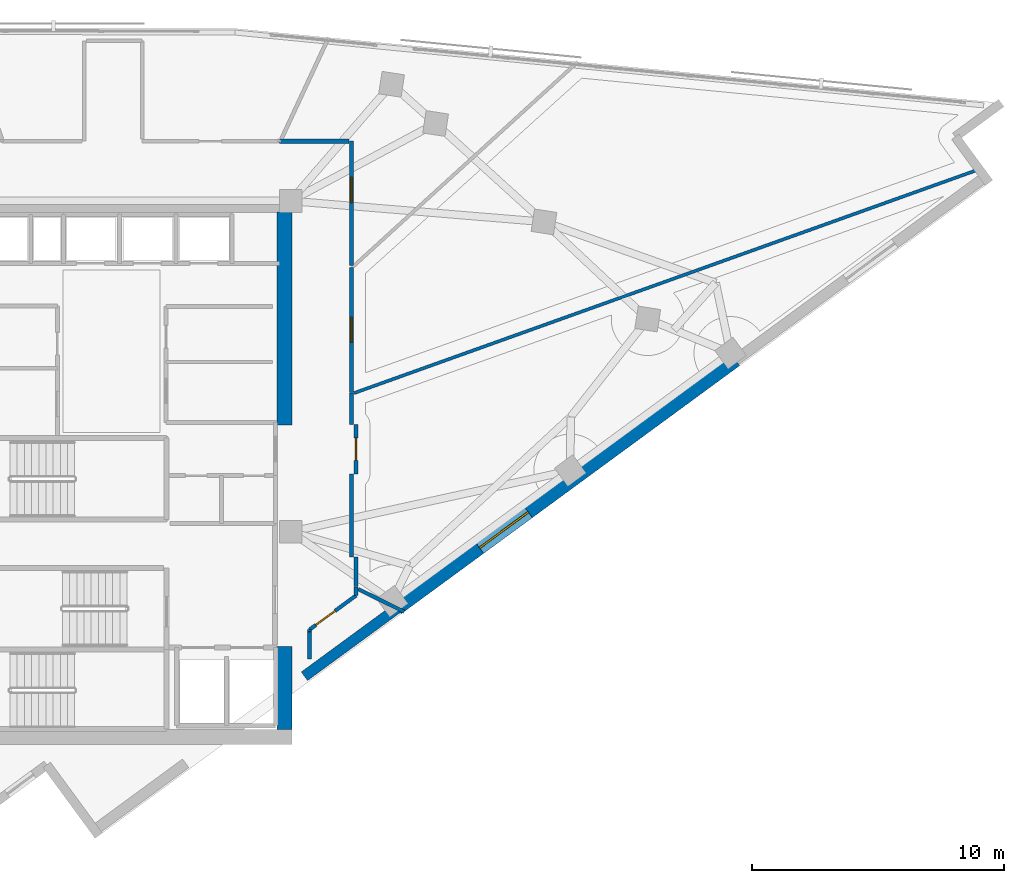
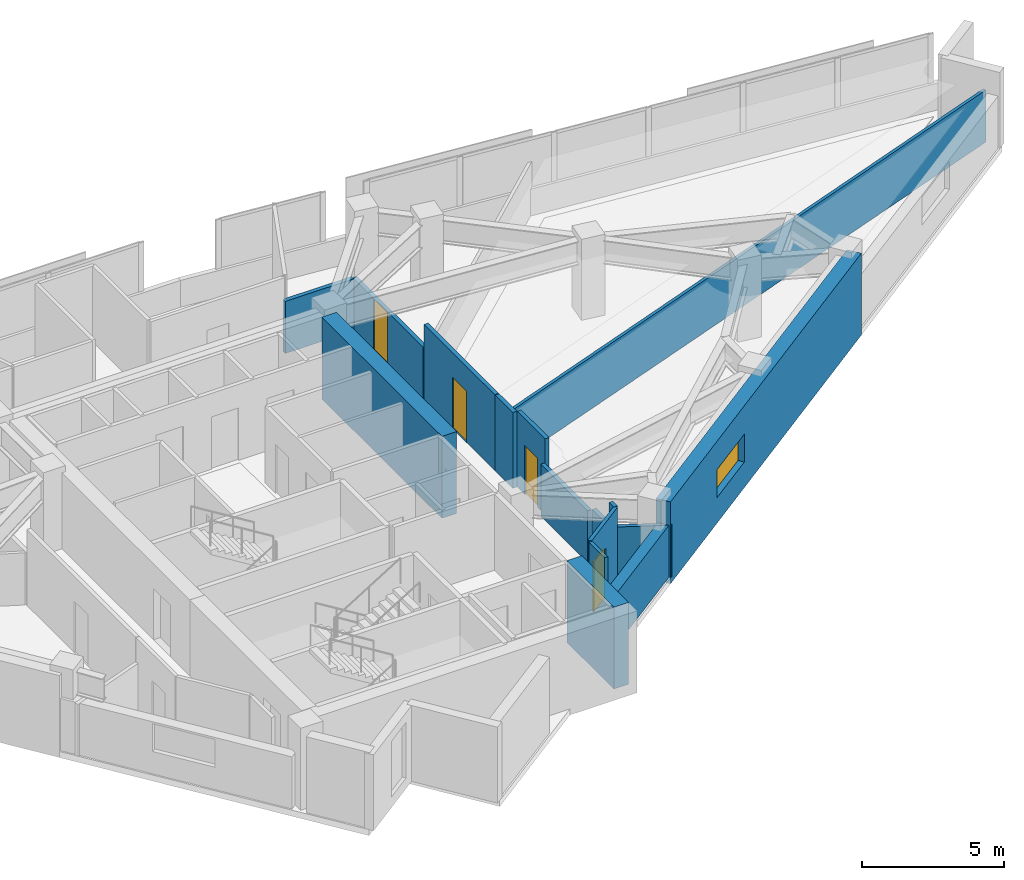
# One storey, part 11 of 14: 17 walls, 4 doors, 1 window, 5 openings.
"""IFC4 building model written with IfcOpenShell, lengths in metres."""

from ifc_helpers import new_model, si_unit, direction, frame, frame_2d, origin, place, context, subcontext, project, spatial, rectangle, extrude, material, layer, layer_set, type_object, element, fill, save


model = new_model("IFC4")

# Units and contexts
model_context = context("Model", 3, precision=1e-05, world=origin(), true_north=direction((0.0, 1.0)))
body_context = subcontext(model_context, "Body", "Model", "MODEL_VIEW")
ifc_project = project(units=[si_unit("LENGTHUNIT", "METRE"), si_unit("AREAUNIT", "SQUARE_METRE"), si_unit("VOLUMEUNIT", "CUBIC_METRE"), si_unit("PLANEANGLEUNIT", "RADIAN"), si_unit("MASSUNIT", "GRAM", prefix="KILO")], contexts=[model_context])

# Site, building, storey
site_placement = place(None, origin())
site = spatial("IfcSite", under=ifc_project, at=site_placement, CompositionType="ELEMENT")
building_placement = place(site_placement, origin())
building = spatial("IfcBuilding", under=site, at=building_placement, Name="Narakoshi Arena Tower", CompositionType="ELEMENT")
storey_placement = place(building_placement, frame((0.0, 0.0, 260.739990234375)))
storey = spatial("IfcBuildingStorey", under=building, at=storey_placement, Name="L71", CompositionType="ELEMENT", Elevation=260.739990234375)

# Walls
ifc_material_1 = material(Name="Concrete C50/60", Category="concrete")
ifc_layer_1 = layer(ifc_material_1, 0.60009765625)
ifc_layer_set_1 = layer_set([ifc_layer_1], Name="Concrete C50/60")
wall_type_1 = type_object("IfcWallType", Name="WL-CORE-600", PredefinedType="SHEAR", material=ifc_layer_set_1)
wall_1_placement = place(storey_placement, frame((85.300048828125, 35.5, -0.260009765625), z_axis=(0.0, 0.0, 1.0), x_axis=(0.0, 1.0, 0.0)))
element("IfcWall", 1, at=wall_1_placement, inside=storey, type_object=wall_type_1, Name="L71 Central Core Shear Wall CW-APX-E", PredefinedType="SHEAR", context=body_context, shape_type="SweptSolid", body=[
    extrude(rectangle(XDim=3.300048828125, YDim=0.60009765625, at=frame_2d((1.64990234375, 0.0))), origin(), (0.0, 0.0, 1.0), 3.52001953125),
])
wall_2_placement = place(storey_placement, frame((85.300048828125, 47.60009765625, -0.260009765625), z_axis=(0.0, 0.0, 1.0), x_axis=(0.0, 1.0, 0.0)))
element("IfcWall", 2, at=wall_2_placement, inside=storey, type_object=wall_type_1, Name="L71 Main Core Shear Wall CW-MN-E", PredefinedType="SHEAR", context=body_context, shape_type="SweptSolid", body=[
    extrude(rectangle(XDim=8.449951171875, YDim=0.60009765625, at=frame_2d((4.22509765625, 0.0))), origin(), (0.0, 0.0, 1.0), 3.52001953125),
])
ifc_material_2 = material(Name="Gypsum plasterboard fire-rated partition")
ifc_layer_2 = layer(ifc_material_2, 0.1650390625)
ifc_layer_set_2 = layer_set([ifc_layer_2], Name="Gypsum plasterboard fire-rated partition")
wall_type_2 = type_object("IfcWallType", Name="WL-CORR-165", PredefinedType="PARTITIONING", material=ifc_layer_set_2)
wall_3_placement = place(storey_placement, frame((87.97216796875, 42.35009765625, 0.0), z_axis=(0.0, 0.0, 1.0), x_axis=(0.0, 1.0, 0.0)))
element("IfcWall", 3, at=wall_3_placement, inside=storey, type_object=wall_type_2, Name="L71 Corridor Partition 03-1", PredefinedType="PARTITIONING", context=body_context, shape_type="SweptSolid", body=[
    extrude(rectangle(XDim=3.2998046875, YDim=0.1650390625, at=frame_2d((1.64990234375, 0.0))), origin(), (0.0, 0.0, 1.0), 2.237060546875),
])

# Wall, opening, door
wall_4_placement = place(storey_placement, frame((88.14990234375, 45.64990234375, 0.0), z_axis=(0.0, 0.0, 1.0), x_axis=(0.0, 1.0, 0.0)))
wall_4 = element("IfcWall", 4, at=wall_4_placement, inside=storey, type_object=wall_type_2, Name="L71 Corridor Partition 03-2", PredefinedType="PARTITIONING", context=body_context, shape_type="SweptSolid", body=[
    extrude(rectangle(XDim=1.97021484375, YDim=0.1650390625, at=frame_2d((0.985107421875, 0.0))), origin(), (0.0, 0.0, 1.0), 3.260009765625),
])
opening_1_placement = place(wall_4_placement, frame((0.534912109375, 0.0, 0.0)))
opening_1 = element("IfcOpeningElement", 5, at=opening_1_placement, cuts=wall_4, Name="Opening D-08", PredefinedType="OPENING", context=body_context, shape_type="SweptSolid", body=[
    extrude(rectangle(XDim=0.89990234375, YDim=2.10009765625, at=frame_2d((0.449951171875, 1.050048828125))), frame((0.0, 0.092529296875, 0.0), z_axis=(0.0, -1.0, 0.0), x_axis=(1.0, 0.0, 0.0)), (0.0, 0.0, 1.0), 0.18505859375),
])
ifc_material_3 = material(Name="Moisture-resistant laminate timber", Category="wood")
door_type_1 = type_object("IfcDoorType", Name="DR-WC-900", OperationType="NOTDEFINED", PredefinedType="DOOR", material=ifc_material_3)
door_1_placement = place(opening_1_placement, frame((0.89990234375, 0.0, 0.0), z_axis=(0.0, 0.0, 1.0), x_axis=(-1.0, 0.0, 0.0)))
door_1 = element("IfcDoor", 6, at=door_1_placement, inside=storey, type_object=door_type_1, Name="DR-L71-019", OperationType="SINGLE_SWING_LEFT", OverallHeight=2.10009765625, OverallWidth=0.89990234375, PredefinedType="DOOR", context=body_context, shape_type="SweptSolid", body=[
    extrude(rectangle(XDim=0.89990234375, YDim=2.10009765625, at=frame_2d((0.449951171875, 1.050048828125))), frame((0.0, 0.02490234375, 0.0), z_axis=(0.0, -1.0, 0.0), x_axis=(1.0, 0.0, 0.0)), (0.0, 0.0, 1.0), 0.050048828125),
])
fill(opening_1, door_1)

# Walls
wall_5_placement = place(storey_placement, frame((87.97216796875, 47.6201171875, 0.0), z_axis=(0.0, 0.0, 1.0), x_axis=(0.0, 1.0, 0.0)))
element("IfcWall", 7, at=wall_5_placement, inside=storey, type_object=wall_type_2, Name="L71 Corridor Partition 03-3", PredefinedType="PARTITIONING", context=body_context, shape_type="SweptSolid", body=[
    extrude(rectangle(XDim=1.2421875, YDim=0.1650390625, at=frame_2d((0.62109375, 0.0))), origin(), (0.0, 0.0, 1.0), 3.260009765625),
])
wall_6_placement = place(storey_placement, frame((88.14990234375, 41.18359375, 0.0), z_axis=(0.0, 0.0, 1.0), x_axis=(0.0, 1.0, 0.0)))
element("IfcWall", 8, at=wall_6_placement, inside=storey, type_object=wall_type_2, Name="L71 Corridor Partition 03-4", PredefinedType="PARTITIONING", context=body_context, shape_type="SweptSolid", body=[
    extrude(rectangle(XDim=1.16650390625, YDim=0.1650390625, at=frame_2d((0.583251953125, 0.0))), origin(), (0.0, 0.0, 1.0), 2.237060546875),
])

# Wall, opening, door
wall_7_placement = place(storey_placement, frame((87.97216796875, 48.8876953125, 0.0), z_axis=(0.0, 0.0, 1.0), x_axis=(0.0, 1.0, 0.0)))
wall_7 = element("IfcWall", 9, at=wall_7_placement, inside=storey, type_object=wall_type_2, Name="L71 Corridor Partition 04-1", PredefinedType="PARTITIONING", context=body_context, shape_type="SweptSolid", body=[
    extrude(rectangle(XDim=4.97607421875, YDim=0.1650390625, at=frame_2d((2.488037109375, 0.0))), origin(), (0.0, 0.0, 1.0), 3.260009765625),
])
opening_2_placement = place(wall_7_placement, frame((1.988037109375, 0.0, 0.0)))
opening_2 = element("IfcOpeningElement", 10, at=opening_2_placement, cuts=wall_7, Name="Opening D-06", PredefinedType="OPENING", context=body_context, shape_type="SweptSolid", body=[
    extrude(rectangle(XDim=1.0, YDim=2.199951171875, at=frame_2d((0.5, 1.10009765625))), frame((0.0, 0.092529296875, 0.0), z_axis=(0.0, -1.0, 0.0), x_axis=(1.0, 0.0, 0.0)), (0.0, 0.0, 1.0), 0.18505859375),
])
ifc_material_4 = material(Name="Stained oak solid-core timber", Category="wood")
door_type_2 = type_object("IfcDoorType", Name="DR-OFF-1000", OperationType="NOTDEFINED", PredefinedType="DOOR", material=ifc_material_4)
door_2_placement = place(opening_2_placement, frame((1.0, 0.0, 0.0), z_axis=(0.0, 0.0, 1.0), x_axis=(-1.0, 0.0, 0.0)))
door_2 = element("IfcDoor", 11, at=door_2_placement, inside=storey, type_object=door_type_2, Name="DR-L71-020", OperationType="SINGLE_SWING_RIGHT", OverallHeight=2.199951171875, OverallWidth=1.0, PredefinedType="DOOR", context=body_context, shape_type="SweptSolid", body=[
    extrude(rectangle(XDim=1.0, YDim=2.199951171875, at=frame_2d((0.5, 1.10009765625))), frame((0.0, 0.02490234375, 0.0), z_axis=(0.0, -1.0, 0.0), x_axis=(1.0, 0.0, 0.0)), (0.0, 0.0, 1.0), 0.050048828125),
])
fill(opening_2, door_2)

wall_8_placement = place(storey_placement, frame((87.97216796875, 53.93701171875, 0.0), z_axis=(0.0, 0.0, 1.0), x_axis=(0.0, 1.0, 0.0)))
wall_8 = element("IfcWall", 12, at=wall_8_placement, inside=storey, type_object=wall_type_2, Name="L71 Corridor Partition 05-1", PredefinedType="PARTITIONING", context=body_context, shape_type="SweptSolid", body=[
    extrude(rectangle(XDim=4.935302734375, YDim=0.1650390625, at=frame_2d((2.4677734375, 0.0))), origin(), (0.0, 0.0, 1.0), 2.237060546875),
])
opening_3_placement = place(wall_8_placement, frame((2.497802734375, 0.0, 0.0)))
opening_3 = element("IfcOpeningElement", 13, at=opening_3_placement, cuts=wall_8, Name="Opening D-06", PredefinedType="OPENING", context=body_context, shape_type="SweptSolid", body=[
    extrude(rectangle(XDim=1.0, YDim=2.199951171875, at=frame_2d((0.5, 1.10009765625))), frame((0.0, 0.092529296875, 0.0), z_axis=(0.0, -1.0, 0.0), x_axis=(1.0, 0.0, 0.0)), (0.0, 0.0, 1.0), 0.18505859375),
])
door_3_placement = place(opening_3_placement, frame((1.0, 0.0, 0.0), z_axis=(0.0, 0.0, 1.0), x_axis=(-1.0, 0.0, 0.0)))
door_3 = element("IfcDoor", 14, at=door_3_placement, inside=storey, type_object=door_type_2, Name="DR-L71-021", OperationType="SINGLE_SWING_LEFT", OverallHeight=2.199951171875, OverallWidth=1.0, PredefinedType="DOOR", context=body_context, shape_type="SweptSolid", body=[
    extrude(rectangle(XDim=1.0, YDim=2.199951171875, at=frame_2d((0.5, 1.10009765625))), frame((0.0, 0.02490234375, 0.0), z_axis=(0.0, -1.0, 0.0), x_axis=(1.0, 0.0, 0.0)), (0.0, 0.0, 1.0), 0.050048828125),
])
fill(opening_3, door_3)

# Wall
wall_9_placement = place(storey_placement, frame((87.877685546875, 58.872314453125, 0.0), z_axis=(0.0, 0.0, 1.0), x_axis=(-1.0, 0.0, 0.0)))
element("IfcWall", 15, at=wall_9_placement, inside=storey, type_object=wall_type_2, Name="L71 Corridor Partition 05-2", PredefinedType="PARTITIONING", context=body_context, shape_type="SweptSolid", body=[
    extrude(rectangle(XDim=2.7763671875, YDim=0.1650390625, at=frame_2d((1.38818359375, 0.0))), origin(), (0.0, 0.0, 1.0), 2.237060546875),
])

# Wall, opening, window
ifc_layer_3 = layer(ifc_material_1, 0.550048828125)
ifc_layer_set_3 = layer_set([ifc_layer_3], Name="Concrete C50/60")
wall_type_3 = type_object("IfcWallType", Name="WL-LEG-550", PredefinedType="SHEAR", material=ifc_layer_set_3)
wall_10_placement = place(storey_placement, frame((89.79052734375, 40.31640625, -0.260009765625), z_axis=(0.0, 0.0, 1.0), x_axis=(0.806449218078, 0.591303355868, 0.0)))
wall_10 = element("IfcWall", 16, at=wall_10_placement, inside=storey, type_object=wall_type_3, Name="L71 Architectural Concrete Structural Wall LEGA-3", PredefinedType="SHEAR", context=body_context, shape_type="SweptSolid", body=[
    extrude(rectangle(XDim=16.673095703125, YDim=0.550048828125, at=frame_2d((8.33642578125, 0.0))), origin(), (0.0, 0.0, 1.0), 3.52001953125),
])
opening_4_placement = place(wall_10_placement, frame((4.0537109375, 0.0, 1.10009765625)))
opening_4 = element("IfcOpeningElement", 17, at=opening_4_placement, cuts=wall_10, Name="Opening WN-04", PredefinedType="OPENING", context=body_context, shape_type="SweptSolid", body=[
    extrude(rectangle(XDim=2.39990234375, YDim=1.199951171875, at=frame_2d((1.199951171875, 0.60009765625))), frame((0.0, 0.284912109375, 0.0), z_axis=(0.0, -1.0, 0.0), x_axis=(1.0, 0.0, 0.0)), (0.0, 0.0, 1.0), 0.570068359375),
])
ifc_material_5 = material(Name="Bronze-tinted low-E laminated glass", Category="glass")
window_type = type_object("IfcWindowType", Name="WIN-SLT-24x12", PartitioningType="SINGLE_PANEL", PredefinedType="WINDOW", material=ifc_material_5)
window_placement = place(opening_4_placement, origin())
window = element("IfcWindow", 18, at=window_placement, inside=storey, type_object=window_type, Name="L71 LEGA3 Horizontal Slot Window 1", OverallHeight=1.199951171875, OverallWidth=2.39990234375, PartitioningType="SINGLE_PANEL", PredefinedType="WINDOW", context=body_context, shape_type="SweptSolid", body=[
    extrude(rectangle(XDim=2.39990234375, YDim=1.199951171875, at=frame_2d((1.199951171875, 0.60009765625))), frame((0.0, 0.030029296875, 0.0), z_axis=(0.0, -1.0, 0.0), x_axis=(1.0, 0.0, 0.0)), (0.0, 0.0, 1.0), 0.06005859375),
])
fill(opening_4, window)

# Walls
ifc_layer_4 = layer(ifc_material_2, 0.125)
ifc_layer_set_4 = layer_set([ifc_layer_4], Name="Gypsum plasterboard fire-rated partition")
wall_type_4 = type_object("IfcWallType", Name="WL-PART-125", PredefinedType="PARTITIONING", material=ifc_layer_set_4)
wall_11_placement = place(storey_placement, frame((88.066650390625, 48.86181640625, 0.0), z_axis=(0.0, 0.0, 1.0), x_axis=(0.941487752905, 0.337047194217, 0.0)))
element("IfcWall", 19, at=wall_11_placement, inside=storey, type_object=wall_type_4, Name="L71 Inter-Room Partition 03-04", PredefinedType="PARTITIONING", context=body_context, shape_type="SweptSolid", body=[
    extrude(rectangle(XDim=26.3896484375, YDim=0.125, at=frame_2d((13.19482421875, 0.0))), origin(), (0.0, 0.0, 1.0), 2.237060546875),
])
ifc_material_6 = material(Name="Precast concrete C45/55", Category="concrete")
ifc_layer_5 = layer(ifc_material_6, 0.419921875)
ifc_layer_set_5 = layer_set([ifc_layer_5], Name="Precast concrete C45/55")
wall_type_5 = type_object("IfcWallType", Name="WL-POD-420", PredefinedType="SOLIDWALL", material=ifc_layer_set_5)
wall_12_placement = place(storey_placement, frame((86.10009765625, 37.6103515625, 0.0), z_axis=(0.0, 0.0, 1.0), x_axis=(0.806432132361, 0.591326657521, 0.0)))
element("IfcWall", 20, at=wall_12_placement, inside=storey, type_object=wall_type_5, Name="L71 Architectural Concrete Facade Wall LEGA-2", PredefinedType="SOLIDWALL", context=body_context, shape_type="SweptSolid", body=[
    extrude(rectangle(XDim=4.576171875, YDim=0.419921875, at=frame_2d((2.2880859375, 0.0))), origin(), (0.0, 0.0, 1.0), 2.237060546875),
])

# Wall, opening, door
ifc_material_7 = material(Name="Moisture-resistant cement-board partition")
ifc_layer_6 = layer(ifc_material_7, 0.14501953125)
ifc_layer_set_6 = layer_set([ifc_layer_6], Name="Moisture-resistant cement-board partition")
wall_type_6 = type_object("IfcWallType", Name="WL-WET-145", PredefinedType="PARTITIONING", material=ifc_layer_set_6)
wall_13_placement = place(storey_placement, frame((86.300048828125, 39.4619140625, 0.0), z_axis=(0.0, 0.0, 1.0), x_axis=(0.80642868075, 0.591331364689, 0.0)))
wall_13 = element("IfcWall", 21, at=wall_13_placement, inside=storey, type_object=wall_type_6, Name="L71 Corridor Partition 02-1", PredefinedType="PARTITIONING", context=body_context, shape_type="SweptSolid", body=[
    extrude(rectangle(XDim=2.2939453125, YDim=0.14501953125, at=frame_2d((1.14697265625, 0.0))), origin(), (0.0, 0.0, 1.0), 3.260009765625),
])
opening_5_placement = place(wall_13_placement, frame((0.313232421875, 0.0, 0.0)))
opening_5 = element("IfcOpeningElement", 22, at=opening_5_placement, cuts=wall_13, Name="Opening D-07", PredefinedType="OPENING", context=body_context, shape_type="SweptSolid", body=[
    extrude(rectangle(XDim=0.949951171875, YDim=2.14990234375, at=frame_2d((0.47509765625, 1.074951171875))), frame((0.0, 0.08251953125, 0.0), z_axis=(0.0, -1.0, 0.0), x_axis=(1.0, 0.0, 0.0)), (0.0, 0.0, 1.0), 0.1650390625),
])
door_type_3 = type_object("IfcDoorType", Name="DR-ACC-950", OperationType="NOTDEFINED", PredefinedType="DOOR", material=ifc_material_4)
door_4_placement = place(opening_5_placement, frame((0.949951171875, 0.0, 0.0), z_axis=(0.0, 0.0, 1.0), x_axis=(-1.0, 0.0, 0.0)))
door_4 = element("IfcDoor", 23, at=door_4_placement, inside=storey, type_object=door_type_3, Name="DR-L71-018", OperationType="SINGLE_SWING_RIGHT", OverallHeight=2.14990234375, OverallWidth=0.949951171875, PredefinedType="DOOR", context=body_context, shape_type="SweptSolid", body=[
    extrude(rectangle(XDim=0.949951171875, YDim=2.14990234375, at=frame_2d((0.47509765625, 1.074951171875))), frame((0.0, 0.02490234375, 0.0), z_axis=(0.0, -1.0, 0.0), x_axis=(1.0, 0.0, 0.0)), (0.0, 0.0, 1.0), 0.050048828125),
])
fill(opening_5, door_4)

# Walls
wall_14_placement = place(storey_placement, frame((88.14990234375, 40.818359375, 0.0), z_axis=(0.0, 0.0, 1.0), x_axis=(0.0, 1.0, 0.0)))
element("IfcWall", 24, at=wall_14_placement, inside=storey, type_object=wall_type_6, Name="L71 Corridor Partition 02-2", PredefinedType="PARTITIONING", context=body_context, shape_type="SweptSolid", body=[
    extrude(rectangle(XDim=0.338623046875, YDim=0.14501953125, at=frame_2d((0.16943359375, 0.0))), origin(), (0.0, 0.0, 1.0), 3.260009765625),
])
wall_15_placement = place(storey_placement, frame((86.300048828125, 39.3876953125, 0.0), z_axis=(0.0, 0.0, 1.0), x_axis=(0.0, 1.0, 0.0)))
element("IfcWall", 25, at=wall_15_placement, inside=storey, type_object=wall_type_6, Name="L71 Corridor Partition 02-3", PredefinedType="PARTITIONING", context=body_context, shape_type="SweptSolid", body=[
    extrude(rectangle(XDim=0.07421875, YDim=0.14501953125, at=frame_2d((0.037109375, 0.0))), origin(), (0.0, 0.0, 1.0), 3.260009765625),
])
wall_16_placement = place(storey_placement, frame((88.234619140625, 41.0751953125, 0.0), z_axis=(0.0, 0.0, 1.0), x_axis=(0.895886148706, -0.44428370278, 0.0)))
element("IfcWall", 26, at=wall_16_placement, inside=storey, type_object=wall_type_6, Name="L71 Inter-Room Partition 02-03", PredefinedType="PARTITIONING", context=body_context, shape_type="SweptSolid", body=[
    extrude(rectangle(XDim=2.034912109375, YDim=0.14501953125, at=frame_2d((1.017578125, 0.0))), origin(), (0.0, 0.0, 1.0), 2.237060546875),
])
wall_17_placement = place(storey_placement, frame((86.300048828125, 38.290283203125, 0.0), z_axis=(0.0, 0.0, 1.0), x_axis=(0.0, 1.0, 0.0)))
element("IfcWall", 27, at=wall_17_placement, inside=storey, type_object=wall_type_6, Name="L71 Room Enclosure Partition 02-1", PredefinedType="PARTITIONING", context=body_context, shape_type="SweptSolid", body=[
    extrude(rectangle(XDim=1.097412109375, YDim=0.14501953125, at=frame_2d((0.548828125, 0.0))), origin(), (0.0, 0.0, 1.0), 3.260009765625),
])

save(model, "model.ifc")
